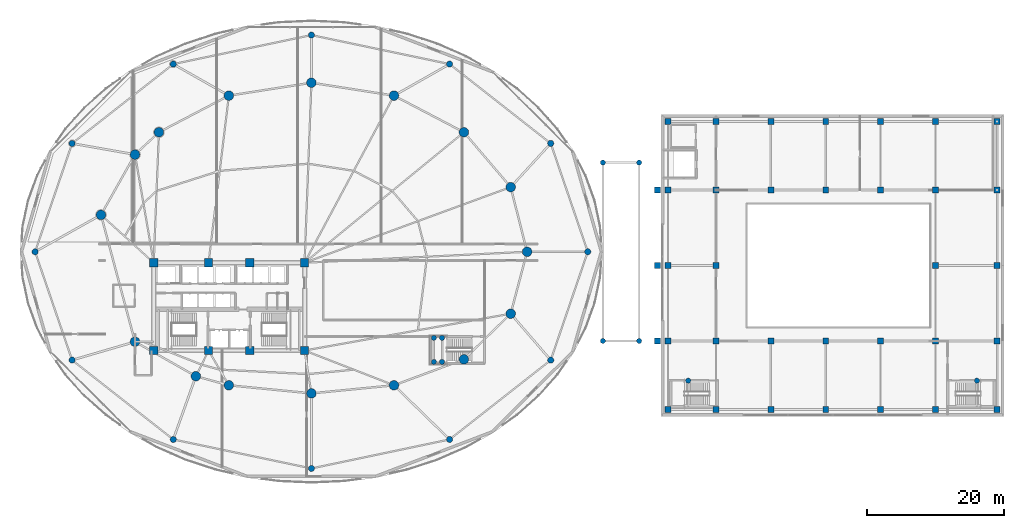
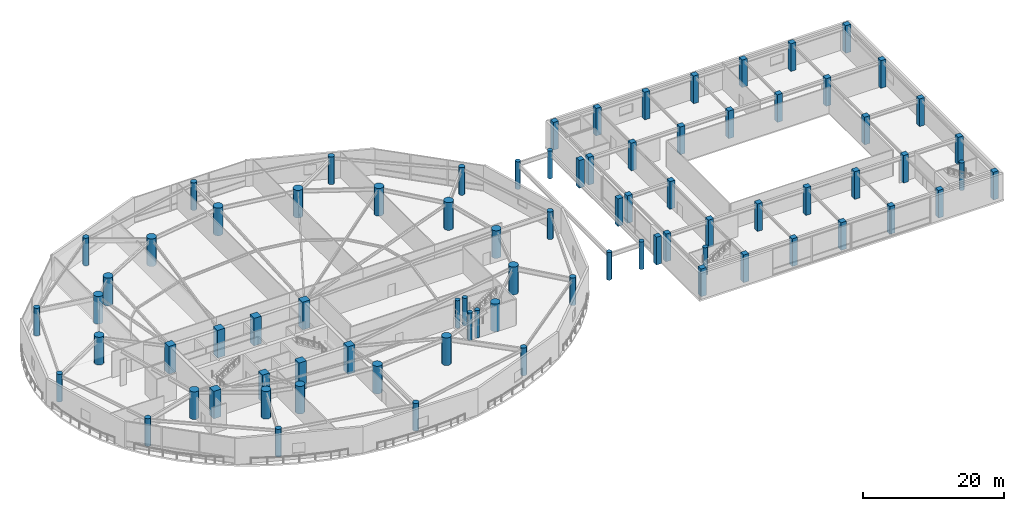
# One storey, part 1 of 40: 81 columns.
"""IFC4 building model written with IfcOpenShell, lengths in metres."""

from ifc_helpers import new_model, si_unit, direction, frame, origin, origin_2d, place, context, subcontext, project, spatial, rectangle, circle, extrude, material, material_profile, profile_set, type_object, element, save


model = new_model("IFC4")

# Units and contexts
model_context = context("Model", 3, precision=1e-05, world=origin(), true_north=direction((0.0, 1.0)))
body_context = subcontext(model_context, "Body", "Model", "MODEL_VIEW")
ifc_project = project(units=[si_unit("LENGTHUNIT", "METRE"), si_unit("AREAUNIT", "SQUARE_METRE"), si_unit("VOLUMEUNIT", "CUBIC_METRE"), si_unit("PLANEANGLEUNIT", "RADIAN"), si_unit("MASSUNIT", "GRAM", prefix="KILO")], contexts=[model_context])

# Site, building, storey
site_placement = place(None, origin())
site = spatial("IfcSite", under=ifc_project, at=site_placement, CompositionType="ELEMENT")
building_placement = place(site_placement, origin())
building = spatial("IfcBuilding", under=site, at=building_placement, Name="Kazevale Care Tower and Concert Hall", CompositionType="ELEMENT")
storey_placement = place(building_placement, frame((0.0, 0.0, 4.800048828125)))
storey = spatial("IfcBuildingStorey", under=building, at=storey_placement, Name="L01", CompositionType="ELEMENT", Elevation=4.800048828125)

# Columns
ifc_material_1 = material(Name="Concrete C50", Category="concrete")
ifc_material_profile_1 = material_profile(ifc_material_1, rectangle(XDim=0.85009765625, YDim=0.85009765625, at=origin_2d()), Name="RC-SQ850")
ifc_profile_set_1 = profile_set([ifc_material_profile_1], Name="Concrete C50")
column_type_1 = type_object("IfcColumnType", Name="Concert Hall Column SQ850 C50", PredefinedType="COLUMN", material=ifc_profile_set_1)
for number, where, z_axis, x_axis, name in (
    (1, (97.0, 15.0, 0.0), (0.0, 0.0, 1.0), (1.0, 0.0, 0.0), "col:L01:HC-01"),
    (2, (97.0, 25.0, 0.0), (0.0, 0.0, 1.0), (1.0, 0.0, 0.0), "col:L01:HC-02"),
    (3, (97.0, 36.0, 0.0), (0.0, 0.0, 1.0), (1.0, 0.0, 0.0), "col:L01:HC-03"),
    (4, (97.0, 47.0, 0.0), (0.0, 0.0, 1.0), (1.0, 0.0, 0.0), "col:L01:HC-04"),
    (5, (97.0, 57.0, 0.0), (0.0, 0.0, 1.0), (1.0, 0.0, 0.0), "col:L01:HC-05"),
    (6, (104.0, 15.0, 0.0), (0.0, 0.0, 1.0), (1.0, 0.0, 0.0), "col:L01:HC-06"),
    (7, (104.0, 25.0, 0.0), (0.0, 0.0, 1.0), (1.0, 0.0, 0.0), "col:L01:HC-07"),
    (8, (104.0, 36.0, 0.0), (0.0, 0.0, 1.0), (1.0, 0.0, 0.0), "col:L01:HC-08"),
    (9, (104.0, 47.0, 0.0), (0.0, 0.0, 1.0), (1.0, 0.0, 0.0), "col:L01:HC-09"),
    (10, (104.0, 57.0, 0.0), (0.0, 0.0, 1.0), (1.0, 0.0, 0.0), "col:L01:HC-10"),
    (11, (112.0, 15.0, 0.0), (0.0, 0.0, 1.0), (1.0, 0.0, 0.0), "col:L01:HC-11"),
    (12, (112.0, 25.0, 0.0), (0.0, 0.0, 1.0), (1.0, 0.0, 0.0), "col:L01:HC-12"),
    (13, (112.0, 47.0, 0.0), (0.0, 0.0, 1.0), (1.0, 0.0, 0.0), "col:L01:HC-13"),
    (14, (112.0, 57.0, 0.0), (0.0, 0.0, 1.0), (1.0, 0.0, 0.0), "col:L01:HC-14"),
    (15, (120.0, 15.0, 0.0), (0.0, 0.0, 1.0), (1.0, 0.0, 0.0), "col:L01:HC-15"),
    (16, (120.0, 25.0, 0.0), (0.0, 0.0, 1.0), (1.0, 0.0, 0.0), "col:L01:HC-16"),
    (17, (120.0, 47.0, 0.0), (0.0, 0.0, 1.0), (1.0, 0.0, 0.0), "col:L01:HC-17"),
    (18, (120.0, 57.0, 0.0), (0.0, 0.0, 1.0), (1.0, 0.0, 0.0), "col:L01:HC-18"),
    (19, (128.0, 15.0, 0.0), (0.0, 0.0, 1.0), (1.0, 0.0, 0.0), "col:L01:HC-19"),
    (20, (128.0, 25.0, 0.0), (0.0, 0.0, 1.0), (1.0, 0.0, 0.0), "col:L01:HC-20"),
    (21, (128.0, 47.0, 0.0), (0.0, 0.0, 1.0), (1.0, 0.0, 0.0), "col:L01:HC-21"),
    (22, (128.0, 57.0, 0.0), (0.0, 0.0, 1.0), (1.0, 0.0, 0.0), "col:L01:HC-22"),
    (23, (136.0, 15.0, 0.0), (0.0, 0.0, 1.0), (1.0, 0.0, 0.0), "col:L01:HC-23"),
    (24, (136.0, 25.0, 0.0), (0.0, 0.0, 1.0), (1.0, 0.0, 0.0), "col:L01:HC-24"),
    (25, (136.0, 36.0, 0.0), (0.0, 0.0, 1.0), (1.0, 0.0, 0.0), "col:L01:HC-25"),
    (26, (136.0, 47.0, 0.0), (0.0, 0.0, 1.0), (1.0, 0.0, 0.0), "col:L01:HC-26"),
    (27, (136.0, 57.0, 0.0), (0.0, 0.0, 1.0), (1.0, 0.0, 0.0), "col:L01:HC-27"),
    (28, (145.0, 15.0, 0.0), (0.0, 0.0, 1.0), (1.0, 0.0, 0.0), "col:L01:HC-28"),
    (29, (145.0, 25.0, 0.0), (0.0, 0.0, 1.0), (1.0, 0.0, 0.0), "col:L01:HC-29"),
    (30, (145.0, 36.0, 0.0), (0.0, 0.0, 1.0), (1.0, 0.0, 0.0), "col:L01:HC-30"),
    (31, (145.0, 47.0, 0.0), (0.0, 0.0, 1.0), (1.0, 0.0, 0.0), "col:L01:HC-31"),
    (32, (145.0, 57.0, 0.0), (0.0, 0.0, 1.0), (1.0, 0.0, 0.0), "col:L01:HC-32"),
    (33, (95.449951171875, 25.0, 0.0), (0.0, 0.0, 1.0), (1.0, 0.0, 0.0), "col:L01:bseat:1"),
    (34, (95.449951171875, 36.0, 0.0), (0.0, 0.0, 1.0), (1.0, 0.0, 0.0), "col:L01:bseat:2"),
    (35, (95.449951171875, 47.0, 0.0), (0.0, 0.0, 1.0), (1.0, 0.0, 0.0), "col:L01:bseat:3"),
):
    element("IfcColumn", number, at=place(storey_placement, frame(where, z_axis=z_axis, x_axis=x_axis)), inside=storey, type_object=column_type_1, Name=name, PredefinedType="COLUMN", context=body_context, shape_type="SweptSolid", body=[
        extrude(rectangle(XDim=0.85009765625, YDim=0.85009765625, at=origin_2d()), origin(), (0.0, 0.0, 1.0), 4.800048828125),
    ])
ifc_material_2 = material(Name="Concrete C70", Category="concrete")
ifc_material_profile_2 = material_profile(ifc_material_2, rectangle(XDim=1.199951171875, YDim=1.199951171875, at=origin_2d()), Name="RC-SQ1200")
ifc_profile_set_2 = profile_set([ifc_material_profile_2], Name="Concrete C70")
column_type_2 = type_object("IfcColumnType", Name="Core Column SQ1200 C70", PredefinedType="COLUMN", material=ifc_profile_set_2)
for number, where, z_axis, x_axis, name in (
    (36, (22.0, 23.60009765625, 0.0), (0.0, 0.0, 1.0), (1.0, 0.0, 0.0), "col:L01:CC-01"),
    (37, (30.0, 23.60009765625, 0.0), (0.0, 0.0, 1.0), (1.0, 0.0, 0.0), "col:L01:CC-02"),
    (38, (36.0, 23.60009765625, 0.0), (0.0, 0.0, 1.0), (1.0, 0.0, 0.0), "col:L01:CC-03"),
    (39, (44.0, 23.60009765625, 0.0), (0.0, 0.0, 1.0), (1.0, 0.0, 0.0), "col:L01:CC-04"),
    (40, (44.0, 36.39990234375, 0.0), (0.0, 0.0, 1.0), (1.0, 0.0, 0.0), "col:L01:CC-05"),
    (41, (36.0, 36.39990234375, 0.0), (0.0, 0.0, 1.0), (1.0, 0.0, 0.0), "col:L01:CC-06"),
    (42, (30.0, 36.39990234375, 0.0), (0.0, 0.0, 1.0), (1.0, 0.0, 0.0), "col:L01:CC-07"),
    (43, (22.0, 36.39990234375, 0.0), (0.0, 0.0, 1.0), (1.0, 0.0, 0.0), "col:L01:CC-08"),
):
    element("IfcColumn", number, at=place(storey_placement, frame(where, z_axis=z_axis, x_axis=x_axis)), inside=storey, type_object=column_type_2, Name=name, PredefinedType="COLUMN", context=body_context, shape_type="SweptSolid", body=[
        extrude(rectangle(XDim=1.199951171875, YDim=1.199951171875, at=origin_2d()), origin(), (0.0, 0.0, 1.0), 4.800048828125),
    ])
ifc_material_profile_3 = material_profile(ifc_material_1, circle(Radius=0.375, at=origin_2d()), Name="RC-CIR750")
ifc_profile_set_3 = profile_set([ifc_material_profile_3], Name="Concrete C50")
column_type_3 = type_object("IfcColumnType", Name="Garden & Support Column CIR750 C50", PredefinedType="COLUMN", material=ifc_profile_set_3)
for number, where, z_axis, x_axis, name in (
    (44, (87.5, 25.0, 0.0), (0.0, 0.0, 1.0), (1.0, 0.0, 0.0), "col:L01:GC-01"),
    (45, (92.800048828125, 25.0, 0.0), (0.0, 0.0, 1.0), (1.0, 0.0, 0.0), "col:L01:GC-02"),
    (46, (92.800048828125, 51.0, 0.0), (0.0, 0.0, 1.0), (1.0, 0.0, 0.0), "col:L01:GC-03"),
    (47, (87.5, 51.0, 0.0), (0.0, 0.0, 1.0), (1.0, 0.0, 0.0), "col:L01:GC-04"),
    (48, (62.85009765625, 21.949951171875, 0.0), (0.0, 0.0, 1.0), (1.0, 0.0, 0.0), "col:L01:st3post:628_21"),
    (49, (62.85009765625, 25.449951171875, 0.0), (0.0, 0.0, 1.0), (1.0, 0.0, 0.0), "col:L01:st3post:628_25"),
    (50, (64.050048828125, 21.949951171875, 0.0), (0.0, 0.0, 1.0), (1.0, 0.0, 0.0), "col:L01:st3post:640_21"),
    (51, (64.050048828125, 25.449951171875, 0.0), (0.0, 0.0, 1.0), (1.0, 0.0, 0.0), "col:L01:st3post:640_25"),
    (52, (99.949951171875, 19.199951171875, 0.0), (0.0, 0.0, 1.0), (1.0, 0.0, 0.0), "col:L01:ST4:npost"),
    (53, (142.050048828125, 19.199951171875, 0.0), (0.0, 0.0, 1.0), (1.0, 0.0, 0.0), "col:L01:ST5:npost"),
):
    element("IfcColumn", number, at=place(storey_placement, frame(where, z_axis=z_axis, x_axis=x_axis)), inside=storey, type_object=column_type_3, Name=name, PredefinedType="COLUMN", context=body_context, shape_type="SweptSolid", body=[
        extrude(circle(Radius=0.375, at=origin_2d()), origin(), (0.0, 0.0, 1.0), 4.800048828125),
    ])
ifc_material_profile_4 = material_profile(ifc_material_2, circle(Radius=0.699951171875, at=origin_2d()), Name="RC-CIR1400")
ifc_profile_set_4 = profile_set([ifc_material_profile_4], Name="Concrete C70")
column_type_4 = type_object("IfcColumnType", Name="Perimeter Column CIR1400 C70", PredefinedType="COLUMN", material=ifc_profile_set_4)
for number, where, z_axis, x_axis, name in (
    (54, (76.449951171875, 38.0, 0.0), (0.0, 0.0, 1.0), (1.0, 0.0, 0.0), "col:L01:PC-01"),
    (55, (74.06005859375, 47.429931640625, 0.0), (0.0, 0.0, 1.0), (1.0, 0.0, 0.0), "col:L01:PC-02"),
    (56, (67.239990234375, 55.429931640625, 0.0), (0.0, 0.0, 1.0), (1.0, 0.0, 0.0), "col:L01:PC-03"),
    (57, (57.0400390625, 60.77001953125, 0.0), (0.0, 0.0, 1.0), (1.0, 0.0, 0.0), "col:L01:PC-04"),
    (58, (45.0, 62.64990234375, 0.0), (0.0, 0.0, 1.0), (1.0, 0.0, 0.0), "col:L01:PC-05"),
    (59, (32.9599609375, 60.77001953125, 0.0), (0.0, 0.0, 1.0), (1.0, 0.0, 0.0), "col:L01:PC-06"),
    (60, (22.760009765625, 55.429931640625, 0.0), (0.0, 0.0, 1.0), (1.0, 0.0, 0.0), "col:L01:PC-07"),
    (61, (19.27001953125, 52.179931640625, 0.0), (0.0, 0.0, 1.0), (1.0, 0.0, 0.0), "col:L01:PC-08"),
    (62, (14.31005859375, 43.3798828125, 0.0), (0.0, 0.0, 1.0), (1.0, 0.0, 0.0), "col:L01:PC-09"),
    (63, (19.27001953125, 24.8798828125, 0.0), (0.0, 0.0, 1.0), (1.0, 0.0, 0.0), "col:L01:PC-10"),
    (64, (28.14990234375, 19.85009765625, 0.0), (0.0, 0.0, 1.0), (1.0, 0.0, 0.0), "col:L01:PC-11"),
    (65, (32.9599609375, 18.530029296875, 0.0), (0.0, 0.0, 1.0), (1.0, 0.0, 0.0), "col:L01:PC-12"),
    (66, (45.0, 17.35009765625, 0.0), (0.0, 0.0, 1.0), (1.0, 0.0, 0.0), "col:L01:PC-13"),
    (67, (57.0400390625, 18.530029296875, 0.0), (0.0, 0.0, 1.0), (1.0, 0.0, 0.0), "col:L01:PC-14"),
    (68, (67.239990234375, 22.31005859375, 0.0), (0.0, 0.0, 1.0), (1.0, 0.0, 0.0), "col:L01:PC-15"),
    (69, (74.06005859375, 28.969970703125, 0.0), (0.0, 0.0, 1.0), (1.0, 0.0, 0.0), "col:L01:PC-16"),
):
    element("IfcColumn", number, at=place(storey_placement, frame(where, z_axis=z_axis, x_axis=x_axis)), inside=storey, type_object=column_type_4, Name=name, PredefinedType="COLUMN", context=body_context, shape_type="SweptSolid", body=[
        extrude(circle(Radius=0.699951171875, at=origin_2d()), origin(), (0.0, 0.0, 1.0), 4.800048828125),
    ])
ifc_material_3 = material(Name="Concrete C60", Category="concrete")
ifc_material_profile_5 = material_profile(ifc_material_3, circle(Radius=0.449951171875, at=origin_2d()), Name="RC-CIR900")
ifc_profile_set_5 = profile_set([ifc_material_profile_5], Name="Concrete C60")
column_type_5 = type_object("IfcColumnType", Name="Podium Column CIR900 C60", PredefinedType="COLUMN", material=ifc_profile_set_5)
for number, where, z_axis, x_axis, name in (
    (70, (85.300048828125, 38.0, 0.0), (0.0, 0.0, 1.0), (1.0, 0.0, 0.0), "col:L01:PDC-01"),
    (71, (79.89990234375, 53.800048828125, 0.0), (0.0, 0.0, 1.0), (1.0, 0.0, 0.0), "col:L01:PDC-02"),
    (72, (65.14990234375, 65.3701171875, 0.0), (0.0, 0.0, 1.0), (1.0, 0.0, 0.0), "col:L01:PDC-03"),
    (73, (45.0, 69.60009765625, 0.0), (0.0, 0.0, 1.0), (1.0, 0.0, 0.0), "col:L01:PDC-04"),
    (74, (24.85009765625, 65.3701171875, 0.0), (0.0, 0.0, 1.0), (1.0, 0.0, 0.0), "col:L01:PDC-05"),
    (75, (10.10009765625, 53.800048828125, 0.0), (0.0, 0.0, 1.0), (1.0, 0.0, 0.0), "col:L01:PDC-06"),
    (76, (4.699951171875, 38.0, 0.0), (0.0, 0.0, 1.0), (1.0, 0.0, 0.0), "col:L01:PDC-07"),
    (77, (10.10009765625, 22.199951171875, 0.0), (0.0, 0.0, 1.0), (1.0, 0.0, 0.0), "col:L01:PDC-08"),
    (78, (24.85009765625, 10.6298828125, 0.0), (0.0, 0.0, 1.0), (1.0, 0.0, 0.0), "col:L01:PDC-09"),
    (79, (45.0, 6.39990234375, 0.0), (0.0, 0.0, 1.0), (1.0, 0.0, 0.0), "col:L01:PDC-10"),
    (80, (65.14990234375, 10.6298828125, 0.0), (0.0, 0.0, 1.0), (1.0, 0.0, 0.0), "col:L01:PDC-11"),
    (81, (79.89990234375, 22.199951171875, 0.0), (0.0, 0.0, 1.0), (1.0, 0.0, 0.0), "col:L01:PDC-12"),
):
    element("IfcColumn", number, at=place(storey_placement, frame(where, z_axis=z_axis, x_axis=x_axis)), inside=storey, type_object=column_type_5, Name=name, PredefinedType="COLUMN", context=body_context, shape_type="SweptSolid", body=[
        extrude(circle(Radius=0.449951171875, at=origin_2d()), origin(), (0.0, 0.0, 1.0), 4.800048828125),
    ])

save(model, "model.ifc")
